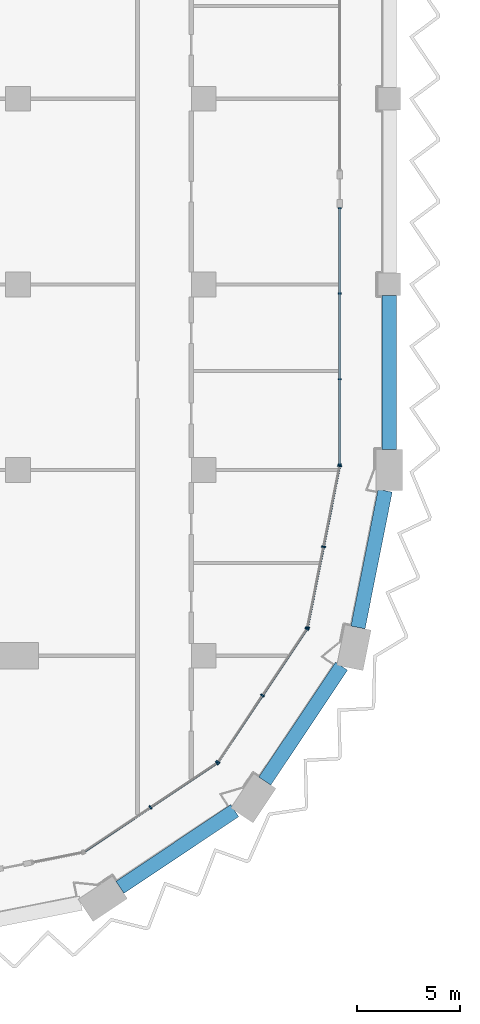
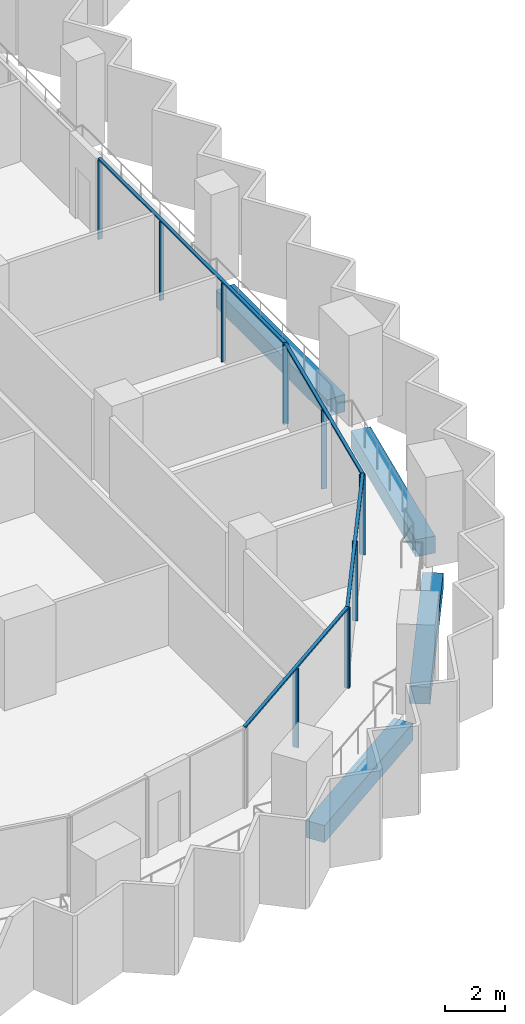
# One storey, part 3 of 22: 16 members, 4 beams, 4 elements without a shape of their own.
"""IFC4 building model written with IfcOpenShell, lengths in metres."""

from ifc_helpers import new_model, si_unit, direction, frame, origin, origin_2d, place, context, subcontext, project, spatial, rectangle, extrude, material, material_profile, profile_set, type_object, element, aggregate, save


model = new_model("IFC4")

# Units and contexts
model_context = context("Model", 3, precision=1e-05, world=origin(), true_north=direction((0.0, 1.0)))
body_context = subcontext(model_context, "Body", "Model", "MODEL_VIEW")
ifc_project = project(units=[si_unit("LENGTHUNIT", "METRE"), si_unit("AREAUNIT", "SQUARE_METRE"), si_unit("VOLUMEUNIT", "CUBIC_METRE"), si_unit("PLANEANGLEUNIT", "RADIAN"), si_unit("MASSUNIT", "GRAM", prefix="KILO")], contexts=[model_context])

# Site, building, storey
site_placement = place(None, origin())
site = spatial("IfcSite", under=ifc_project, at=site_placement, CompositionType="ELEMENT")
building_placement = place(site_placement, origin())
building = spatial("IfcBuilding", under=site, at=building_placement, Name="Hunhe Ridgeline Campus", CompositionType="ELEMENT")
storey_placement = place(building_placement, frame((0.0, 0.0, 141.199951171875)))
storey = spatial("IfcBuildingStorey", under=building, at=storey_placement, Name="L35", CompositionType="ELEMENT", Elevation=141.199951171875)

# Curtain wall, members
ifc_material_1 = material(Name="Aluminium 6063", Category="aluminium")
curtain_wall_type_1 = type_object("IfcCurtainWallType", Name="Curtain wall CW-1", PredefinedType="NOTDEFINED", material=ifc_material_1)
curtain_wall_1_placement = place(storey_placement, origin())
curtain_wall_1 = element("IfcCurtainWall", 1, at=curtain_wall_1_placement, inside=storey, type_object=curtain_wall_type_1, Name="Curtain wall 11", PredefinedType="NOTDEFINED")
ifc_material_profile_1 = material_profile(ifc_material_1, rectangle(XDim=0.159912109375, YDim=0.06005859375, at=origin_2d()))
ifc_profile_set_1 = profile_set([ifc_material_profile_1], Name="Aluminium 6063")
member_type_1 = type_object("IfcMemberType", Name="CW-1 aluminium mullion", PredefinedType="MULLION", material=ifc_profile_set_1)
member_1_placement = place(storey_placement, frame((42.59912109375, 27.266357421875, 0.0), z_axis=(0.0, 0.0, 1.0), x_axis=(-0.99999999999, 4.406345e-06, 0.0)))
member_1 = element("IfcMember", 2, at=member_1_placement, type_object=member_type_1, Name="CW-1 mullion 1", PredefinedType="MULLION", context=body_context, shape_type="SweptSolid", body=[
    extrude(rectangle(XDim=0.159912109375, YDim=0.06005859375, at=origin_2d()), origin(), (0.0, 0.0, 1.0), 3.239990234375),
])
member_2_placement = place(storey_placement, frame((42.59912109375, 31.397216796875, 0.0), z_axis=(0.0, 0.0, 1.0), x_axis=(-0.99999999999, 4.406345e-06, 0.0)))
member_2 = element("IfcMember", 3, at=member_2_placement, type_object=member_type_1, Name="CW-1 mullion 2", PredefinedType="MULLION", context=body_context, shape_type="SweptSolid", body=[
    extrude(rectangle(XDim=0.159912109375, YDim=0.06005859375, at=origin_2d()), origin(), (0.0, 0.0, 1.0), 3.239990234375),
])
member_3_placement = place(storey_placement, frame((42.59912109375, 35.557861328125, 0.0), z_axis=(0.0, 0.0, 1.0), x_axis=(-0.99999999999, 4.406345e-06, 0.0)))
member_3 = element("IfcMember", 4, at=member_3_placement, type_object=member_type_1, Name="CW-1 mullion 3", PredefinedType="MULLION", context=body_context, shape_type="SweptSolid", body=[
    extrude(rectangle(XDim=0.159912109375, YDim=0.06005859375, at=origin_2d()), origin(), (0.0, 0.0, 1.0), 3.239990234375),
])
member_4_placement = place(storey_placement, frame((42.59912109375, 39.6884765625, 0.0), z_axis=(0.0, 0.0, 1.0), x_axis=(-0.99999999999, 4.406345e-06, 0.0)))
member_4 = element("IfcMember", 5, at=member_4_placement, type_object=member_type_1, Name="CW-1 mullion 4", PredefinedType="MULLION", context=body_context, shape_type="SweptSolid", body=[
    extrude(rectangle(XDim=0.159912109375, YDim=0.06005859375, at=origin_2d()), origin(), (0.0, 0.0, 1.0), 3.239990234375),
])
ifc_material_profile_2 = material_profile(ifc_material_1, rectangle(XDim=0.1201171875, YDim=0.06005859375, at=origin_2d()))
ifc_profile_set_2 = profile_set([ifc_material_profile_2], Name="Aluminium 6063")
member_type_2 = type_object("IfcMemberType", Name="CW-1 aluminium transom", PredefinedType="USERDEFINED", material=ifc_profile_set_2)
member_5_placement = place(storey_placement, frame((42.59912109375, 27.236572265625, 3.27001953125), z_axis=(0.0, 1.0, 0.0), x_axis=(-1.0, 0.0, 0.0)))
member_5 = element("IfcMember", 6, at=member_5_placement, type_object=member_type_2, Name="CW-1 transom 1", ObjectType="TRANSOM", PredefinedType="USERDEFINED", context=body_context, shape_type="SweptSolid", body=[
    extrude(rectangle(XDim=0.1201171875, YDim=0.06005859375, at=origin_2d()), origin(), (0.0, 0.0, 1.0), 12.48193359375),
])
aggregate(curtain_wall_1, [member_5, member_1, member_2, member_3, member_4])

curtain_wall_type_2 = type_object("IfcCurtainWallType", Name="Curtain wall CW-5", PredefinedType="NOTDEFINED", material=ifc_material_1)
curtain_wall_2_placement = place(storey_placement, origin())
curtain_wall_2 = element("IfcCurtainWall", 7, at=curtain_wall_2_placement, inside=storey, type_object=curtain_wall_type_2, Name="Curtain wall 08", PredefinedType="NOTDEFINED")
ifc_material_profile_3 = material_profile(ifc_material_1, rectangle(XDim=0.199951171875, YDim=0.070068359375, at=origin_2d()))
ifc_profile_set_3 = profile_set([ifc_material_profile_3], Name="Aluminium 6063")
member_type_3 = type_object("IfcMemberType", Name="CW-5 aluminium mullion", PredefinedType="MULLION", material=ifc_profile_set_3)
member_6_placement = place(storey_placement, frame((33.42626953125, 10.647705078125, 0.0), z_axis=(0.0, 0.0, 1.0), x_axis=(-0.555570274596, 0.831469584522, 0.0)))
member_6 = element("IfcMember", 8, at=member_6_placement, type_object=member_type_3, Name="CW-5 mullion 2", PredefinedType="MULLION", context=body_context, shape_type="SweptSolid", body=[
    extrude(rectangle(XDim=0.199951171875, YDim=0.070068359375, at=origin_2d()), origin(), (0.0, 0.0, 1.0), 3.22998046875),
])
member_7_placement = place(storey_placement, frame((36.649658203125, 12.8017578125, 0.0), z_axis=(0.0, 0.0, 1.0), x_axis=(-0.555570274596, 0.831469584522, 0.0)))
member_7 = element("IfcMember", 9, at=member_7_placement, type_object=member_type_3, Name="CW-5 mullion 3", PredefinedType="MULLION", context=body_context, shape_type="SweptSolid", body=[
    extrude(rectangle(XDim=0.199951171875, YDim=0.070068359375, at=origin_2d()), origin(), (0.0, 0.0, 1.0), 3.22998046875),
])

curtain_wall_3_placement = place(storey_placement, origin())
curtain_wall_3 = element("IfcCurtainWall", 10, at=curtain_wall_3_placement, inside=storey, type_object=curtain_wall_type_2, Name="Curtain wall 09", PredefinedType="NOTDEFINED")
member_8_placement = place(storey_placement, frame((36.6982421875, 12.850341796875, 0.0), z_axis=(0.0, 0.0, 1.0), x_axis=(-0.831469584522, 0.555570274596, 0.0)))
member_8 = element("IfcMember", 11, at=member_8_placement, type_object=member_type_3, Name="CW-5 mullion 1", PredefinedType="MULLION", context=body_context, shape_type="SweptSolid", body=[
    extrude(rectangle(XDim=0.199951171875, YDim=0.070068359375, at=origin_2d()), origin(), (0.0, 0.0, 1.0), 3.22998046875),
])
member_9_placement = place(storey_placement, frame((38.852294921875, 16.07373046875, 0.0), z_axis=(0.0, 0.0, 1.0), x_axis=(-0.831469584522, 0.555570274596, 0.0)))
member_9 = element("IfcMember", 12, at=member_9_placement, type_object=member_type_3, Name="CW-5 mullion 2", PredefinedType="MULLION", context=body_context, shape_type="SweptSolid", body=[
    extrude(rectangle(XDim=0.199951171875, YDim=0.070068359375, at=origin_2d()), origin(), (0.0, 0.0, 1.0), 3.22998046875),
])
member_10_placement = place(storey_placement, frame((41.006103515625, 19.29736328125, 0.0), z_axis=(0.0, 0.0, 1.0), x_axis=(-0.831469584522, 0.555570274596, 0.0)))
member_10 = element("IfcMember", 13, at=member_10_placement, type_object=member_type_3, Name="CW-5 mullion 3", PredefinedType="MULLION", context=body_context, shape_type="SweptSolid", body=[
    extrude(rectangle(XDim=0.199951171875, YDim=0.070068359375, at=origin_2d()), origin(), (0.0, 0.0, 1.0), 3.22998046875),
])

curtain_wall_4_placement = place(storey_placement, origin())
curtain_wall_4 = element("IfcCurtainWall", 14, at=curtain_wall_4_placement, inside=storey, type_object=curtain_wall_type_2, Name="Curtain wall 10", PredefinedType="NOTDEFINED")
member_11_placement = place(storey_placement, frame((41.032470703125, 19.36083984375, 0.0), z_axis=(0.0, 0.0, 1.0), x_axis=(-0.980785284939, 0.195090299215, 0.0)))
member_11 = element("IfcMember", 15, at=member_11_placement, type_object=member_type_3, Name="CW-5 mullion 1", PredefinedType="MULLION", context=body_context, shape_type="SweptSolid", body=[
    extrude(rectangle(XDim=0.199951171875, YDim=0.070068359375, at=origin_2d()), origin(), (0.0, 0.0, 1.0), 3.22998046875),
])
member_12_placement = place(storey_placement, frame((41.812255859375, 23.281494140625, 0.0), z_axis=(0.0, 0.0, 1.0), x_axis=(-0.980785284939, 0.195090299215, 0.0)))
member_12 = element("IfcMember", 16, at=member_12_placement, type_object=member_type_3, Name="CW-5 mullion 2", PredefinedType="MULLION", context=body_context, shape_type="SweptSolid", body=[
    extrude(rectangle(XDim=0.199951171875, YDim=0.070068359375, at=origin_2d()), origin(), (0.0, 0.0, 1.0), 3.22998046875),
])
member_13_placement = place(storey_placement, frame((42.59228515625, 27.2021484375, 0.0), z_axis=(0.0, 0.0, 1.0), x_axis=(-0.980785284939, 0.195090299215, 0.0)))
member_13 = element("IfcMember", 17, at=member_13_placement, type_object=member_type_3, Name="CW-5 mullion 3", PredefinedType="MULLION", context=body_context, shape_type="SweptSolid", body=[
    extrude(rectangle(XDim=0.199951171875, YDim=0.070068359375, at=origin_2d()), origin(), (0.0, 0.0, 1.0), 3.22998046875),
])

# Member
ifc_material_profile_4 = material_profile(ifc_material_1, rectangle(XDim=0.1201171875, YDim=0.070068359375, at=origin_2d()))
ifc_profile_set_4 = profile_set([ifc_material_profile_4], Name="Aluminium 6063")
member_type_4 = type_object("IfcMemberType", Name="CW-5 aluminium transom", PredefinedType="USERDEFINED", material=ifc_profile_set_4)
member_14_placement = place(storey_placement, frame((30.173583984375, 8.474365234375, 3.26513671875), z_axis=(0.831473763475, 0.5555640203, 0.0), x_axis=(-0.5555640203, 0.831473763475, 0.0)))
member_14 = element("IfcMember", 18, at=member_14_placement, type_object=member_type_4, Name="CW-5 transom 1", ObjectType="TRANSOM", PredefinedType="USERDEFINED", context=body_context, shape_type="SweptSolid", body=[
    extrude(rectangle(XDim=0.1201171875, YDim=0.070068359375, at=origin_2d()), origin(), (0.0, 0.0, 1.0), 7.823974609375),
])

aggregate(curtain_wall_2, [member_14, member_6, member_7])

member_15_placement = place(storey_placement, frame((36.678955078125, 12.821044921875, 3.26513671875), z_axis=(0.5555640203, 0.831473763475, 0.0), x_axis=(-0.831473763475, 0.5555640203, 0.0)))
member_15 = element("IfcMember", 19, at=member_15_placement, type_object=member_type_4, Name="CW-5 transom 1", ObjectType="TRANSOM", PredefinedType="USERDEFINED", context=body_context, shape_type="SweptSolid", body=[
    extrude(rectangle(XDim=0.1201171875, YDim=0.070068359375, at=origin_2d()), origin(), (0.0, 0.0, 1.0), 7.823974609375),
])

aggregate(curtain_wall_3, [member_15, member_8, member_9, member_10])

member_16_placement = place(storey_placement, frame((41.025634765625, 19.326416015625, 3.26513671875), z_axis=(0.195097290093, 0.980783894341, 0.0), x_axis=(-0.980783894341, 0.195097290093, 0.0)))
member_16 = element("IfcMember", 20, at=member_16_placement, type_object=member_type_4, Name="CW-5 transom 1", ObjectType="TRANSOM", PredefinedType="USERDEFINED", context=body_context, shape_type="SweptSolid", body=[
    extrude(rectangle(XDim=0.1201171875, YDim=0.070068359375, at=origin_2d()), origin(), (0.0, 0.0, 1.0), 8.065185546875),
])

aggregate(curtain_wall_4, [member_16, member_11, member_12, member_13])

# Beams
ifc_material_2 = material(Name="Concrete C60", Category="concrete")
ifc_material_profile_5 = material_profile(ifc_material_2, rectangle(XDim=0.699951171875, YDim=0.699951171875, at=origin_2d()))
ifc_profile_set_5 = profile_set([ifc_material_profile_5], Name="Concrete C60")
beam_type = type_object("IfcBeamType", Name="RC spandrel beam 700x700 Concrete C60", PredefinedType="SPANDREL", material=ifc_profile_set_5)
for number, where, z_axis, x_axis, name in (
    (21, (31.94189453125, 6.768310546875, -0.599853515625), (0.831472141711, 0.555566447474, 0.0), (-0.555566447474, 0.831472141711, 0.0), "Spandrel beam B2-6 L35"),
    (22, (38.965576171875, 11.921630859375, -0.599853515625), (0.555566447474, 0.831472141711, 0.0), (-0.831472141711, 0.555566447474, 0.0), "Spandrel beam B2-7 L35"),
):
    element("IfcBeam", number, at=place(storey_placement, frame(where, z_axis=z_axis, x_axis=x_axis)), inside=storey, type_object=beam_type, Name=name, PredefinedType="SPANDREL", context=body_context, shape_type="SweptSolid", body=[
        extrude(rectangle(XDim=0.699951171875, YDim=0.699951171875, at=origin_2d()), origin(), (0.0, 0.0, 1.0), 6.69677734375),
    ])
beam_1_placement = place(storey_placement, frame((43.482421875, 19.370361328125, -0.599853515625), z_axis=(0.195074154586, 0.980788496166, 0.0), x_axis=(-0.980788496166, 0.195074154586, 0.0)))
element("IfcBeam", 23, at=beam_1_placement, inside=storey, type_object=beam_type, Name="Spandrel beam B2-8 L35", PredefinedType="SPANDREL", context=body_context, shape_type="SweptSolid", body=[
    extrude(rectangle(XDim=0.699951171875, YDim=0.699951171875, at=origin_2d()), origin(), (0.0, 0.0, 1.0), 6.759521484375),
])
beam_2_placement = place(storey_placement, frame((45.0, 28.0, -0.599853515625), z_axis=(0.0, 1.0, 0.0), x_axis=(-1.0, 0.0, 0.0)))
element("IfcBeam", 24, at=beam_2_placement, inside=storey, type_object=beam_type, Name="Spandrel beam B2-9 L35", PredefinedType="SPANDREL", context=body_context, shape_type="SweptSolid", body=[
    extrude(rectangle(XDim=0.699951171875, YDim=0.699951171875, at=origin_2d()), origin(), (0.0, 0.0, 1.0), 7.449951171875),
])

save(model, "model.ifc")
